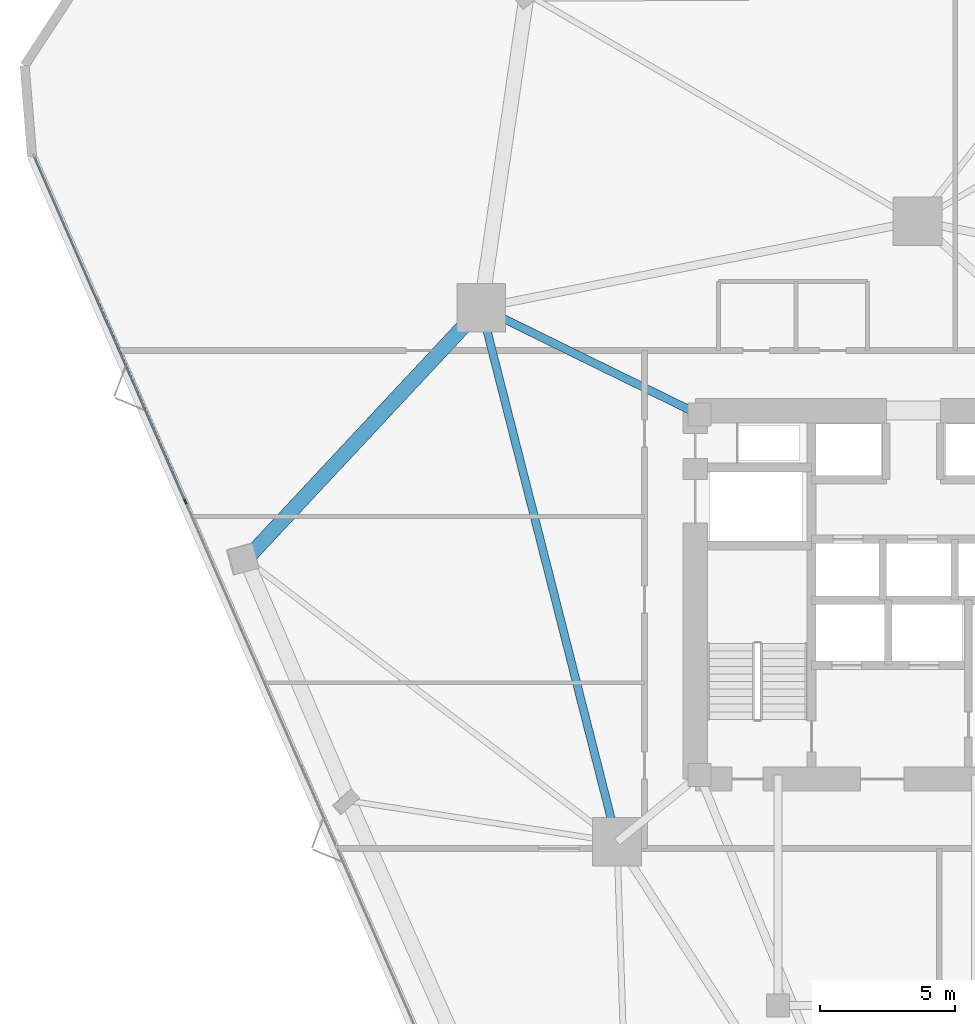
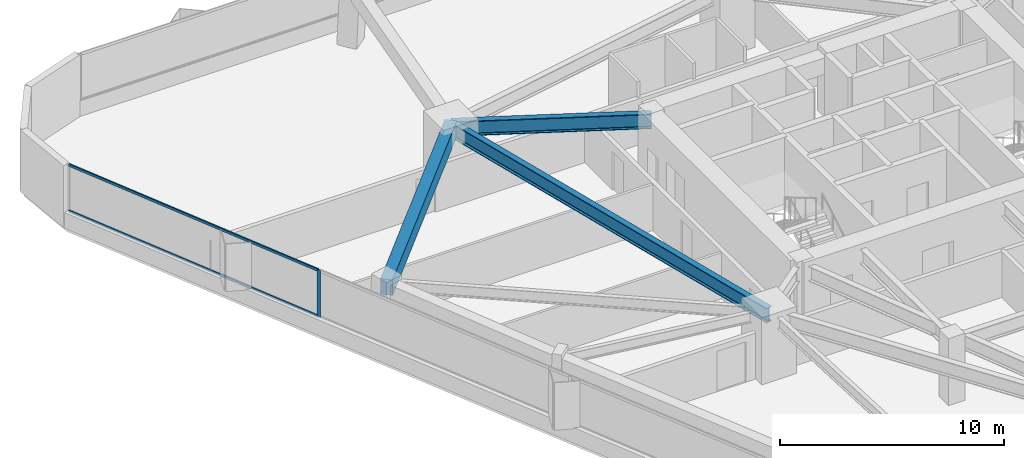
# One storey, part 8 of 20: 3 beams, 3 members, 1 element without a shape of its own.
"""IFC4 building model written with IfcOpenShell, lengths in metres."""

from ifc_helpers import new_model, si_unit, direction, frame, origin, origin_2d, place, context, subcontext, project, spatial, rectangle, i_section, extrude, material, layer, layer_set, material_profile, profile_set, type_object, element, aggregate, save


model = new_model("IFC4")

# Units and contexts
model_context = context("Model", 3, precision=1e-05, world=origin(), true_north=direction((0.0, 1.0)))
body_context = subcontext(model_context, "Body", "Model", "MODEL_VIEW")
ifc_project = project(units=[si_unit("LENGTHUNIT", "METRE"), si_unit("AREAUNIT", "SQUARE_METRE"), si_unit("VOLUMEUNIT", "CUBIC_METRE"), si_unit("PLANEANGLEUNIT", "RADIAN"), si_unit("MASSUNIT", "GRAM", prefix="KILO")], contexts=[model_context])

# Site, building, storey
site_placement = place(None, origin())
site = spatial("IfcSite", under=ifc_project, at=site_placement, CompositionType="ELEMENT")
building_placement = place(site_placement, origin())
building = spatial("IfcBuilding", under=site, at=building_placement, Name="Talyreon Biosciences Tower", CompositionType="ELEMENT")
storey_placement = place(building_placement, frame((0.0, 0.0, 59.300048828125)))
storey = spatial("IfcBuildingStorey", under=building, at=storey_placement, Name="L15", CompositionType="ELEMENT", Elevation=59.300048828125)

# Curtain wall, members
ifc_material_1 = material(Name="Thermally broken aluminium and low-E glazing", Category="aluminium")
ifc_layer = layer(ifc_material_1, 0.195068359375)
ifc_layer_set = layer_set([ifc_layer], Name="Thermally broken aluminium and low-E glazing")
curtain_wall_type = type_object("IfcCurtainWallType", Name="CurtainWall_Zone1WetLab", PredefinedType="NOTDEFINED", material=ifc_layer_set)
curtain_wall_placement = place(storey_placement, origin())
curtain_wall = element("IfcCurtainWall", 1, at=curtain_wall_placement, inside=storey, type_object=curtain_wall_type, Name="L15 Unitised Curtain Wall FCW-L15-00", PredefinedType="NOTDEFINED")
ifc_material_2 = material(Name="Anodised thermally broken aluminium", Category="aluminium")
ifc_material_profile_1 = material_profile(ifc_material_2, rectangle(XDim=0.06494140625, YDim=0.179931640625, at=origin_2d()), Name="ALUM MULLION 65x180")
ifc_profile_set_1 = profile_set([ifc_material_profile_1], Name="Anodised thermally broken aluminium")
member_type_1 = type_object("IfcMemberType", Name="CWMullion_65x180", PredefinedType="MULLION", material=ifc_profile_set_1)
member_1_placement = place(storey_placement, frame((38.977294921875, 71.4453125, 0.81005859375), z_axis=(0.0, 0.0, 1.0), x_axis=(-0.916092182361, -0.400967721165, 0.0)))
member_1 = element("IfcMember", 2, at=member_1_placement, type_object=member_type_1, Name="CW2 mullion 5", PredefinedType="MULLION", context=body_context, shape_type="SweptSolid", body=[
    extrude(rectangle(XDim=0.06494140625, YDim=0.179931640625, at=origin_2d()), origin(), (0.0, 0.0, 1.0), 2.56494140625),
])
ifc_material_profile_2 = material_profile(ifc_material_2, rectangle(XDim=0.06494140625, YDim=0.139892578125, at=origin_2d()), Name="ALUM TRANSOM 65x140")
ifc_profile_set_2 = profile_set([ifc_material_profile_2], Name="Anodised thermally broken aluminium")
member_type_2 = type_object("IfcMemberType", Name="CWTransom_65x140", PredefinedType="USERDEFINED", material=ifc_profile_set_2)
member_2_placement = place(storey_placement, frame((38.96435546875, 71.47509765625, 0.842529296875), z_axis=(-0.400982781264, 0.916085590504, 0.0), x_axis=(-0.916085590504, -0.400982781264, 0.0)))
member_2 = element("IfcMember", 3, at=member_2_placement, type_object=member_type_2, Name="CW2 transom 5.1", ObjectType="TRANSOM", PredefinedType="USERDEFINED", context=body_context, shape_type="SweptSolid", body=[
    extrude(rectangle(XDim=0.06494140625, YDim=0.139892578125, at=origin_2d()), origin(), (0.0, 0.0, 1.0), 13.826416015625),
])
member_3_placement = place(storey_placement, frame((38.96435546875, 71.47509765625, 3.342529296875), z_axis=(-0.400982781264, 0.916085590504, 0.0), x_axis=(-0.916085590504, -0.400982781264, 0.0)))
member_3 = element("IfcMember", 4, at=member_3_placement, type_object=member_type_2, Name="CW2 transom 5.2", ObjectType="TRANSOM", PredefinedType="USERDEFINED", context=body_context, shape_type="SweptSolid", body=[
    extrude(rectangle(XDim=0.06494140625, YDim=0.139892578125, at=origin_2d()), origin(), (0.0, 0.0, 1.0), 13.826416015625),
])
aggregate(curtain_wall, [member_1, member_2, member_3])

# Beams
ifc_material_3 = material(Name="Precast concrete C45/55", Category="concrete")
ifc_material_profile_3 = material_profile(ifc_material_3, rectangle(XDim=0.550048828125, YDim=0.85009765625, at=origin_2d()), Name="RCB 550x850")
ifc_profile_set_3 = profile_set([ifc_material_profile_3], Name="Precast concrete C45/55")
beam_type_1 = type_object("IfcBeamType", Name="ExpressedSpandrel_550x850", PredefinedType="SPANDREL", material=ifc_profile_set_3)
beam_1_placement = place(storey_placement, frame((49.897705078125, 78.5986328125, 2.949951171875), z_axis=(-0.682477584417, -0.730906523961, 0.0), x_axis=(0.730906523961, -0.682477584417, 0.0)))
element("IfcBeam", 5, at=beam_1_placement, inside=storey, type_object=beam_type_1, Name="L15 Expressed Horizontal Concrete Spandrel 09", PredefinedType="SPANDREL", context=body_context, shape_type="SweptSolid", body=[
    extrude(rectangle(XDim=0.550048828125, YDim=0.85009765625, at=origin_2d()), origin(), (0.0, 0.0, 1.0), 12.718994140625),
])
ifc_material_4 = material(Name="Steel SM355", Category="steel")
ifc_material_profile_4 = material_profile(ifc_material_4, i_section(OverallWidth=0.300048828125, OverallDepth=0.800048828125, WebThickness=0.017578125, FlangeThickness=0.032958984375, FilletRadius=0.030029296875, at=origin_2d()), Name="HE800B")
ifc_profile_set_4 = profile_set([ifc_material_profile_4], Name="Steel SM355")
beam_type_2 = type_object("IfcBeamType", Name="SteelGirder_HE800B", PredefinedType="BEAM", material=ifc_profile_set_4)
beam_2_placement = place(storey_placement, frame((49.897705078125, 78.5986328125, 2.974853515625), z_axis=(0.246537082299, -0.969133358755, 0.0), x_axis=(0.969133358755, 0.246537082299, 0.0)))
element("IfcBeam", 6, at=beam_2_placement, inside=storey, type_object=beam_type_2, Name="L15 Mega-Ring Girder 5", PredefinedType="BEAM", context=body_context, shape_type="SweptSolid", body=[
    extrude(i_section(OverallWidth=0.300048828125, OverallDepth=0.800048828125, WebThickness=0.017578125, FlangeThickness=0.032958984375, FilletRadius=0.030029296875, at=origin_2d()), origin(), (0.0, 0.0, 1.0), 20.34619140625),
])
beam_3_placement = place(storey_placement, frame((57.949951171875, 74.64990234375, 2.974853515625), z_axis=(-0.897852360314, 0.440296648952, 0.0), x_axis=(-0.440296648952, -0.897852360314, 0.0)))
element("IfcBeam", 7, at=beam_3_placement, inside=storey, type_object=beam_type_2, Name="L15 Radial Primary Girder 5", PredefinedType="BEAM", context=body_context, shape_type="SweptSolid", body=[
    extrude(i_section(OverallWidth=0.300048828125, OverallDepth=0.800048828125, WebThickness=0.017578125, FlangeThickness=0.032958984375, FilletRadius=0.030029296875, at=origin_2d()), origin(), (0.0, 0.0, 1.0), 8.96826171875),
])

save(model, "model.ifc")
